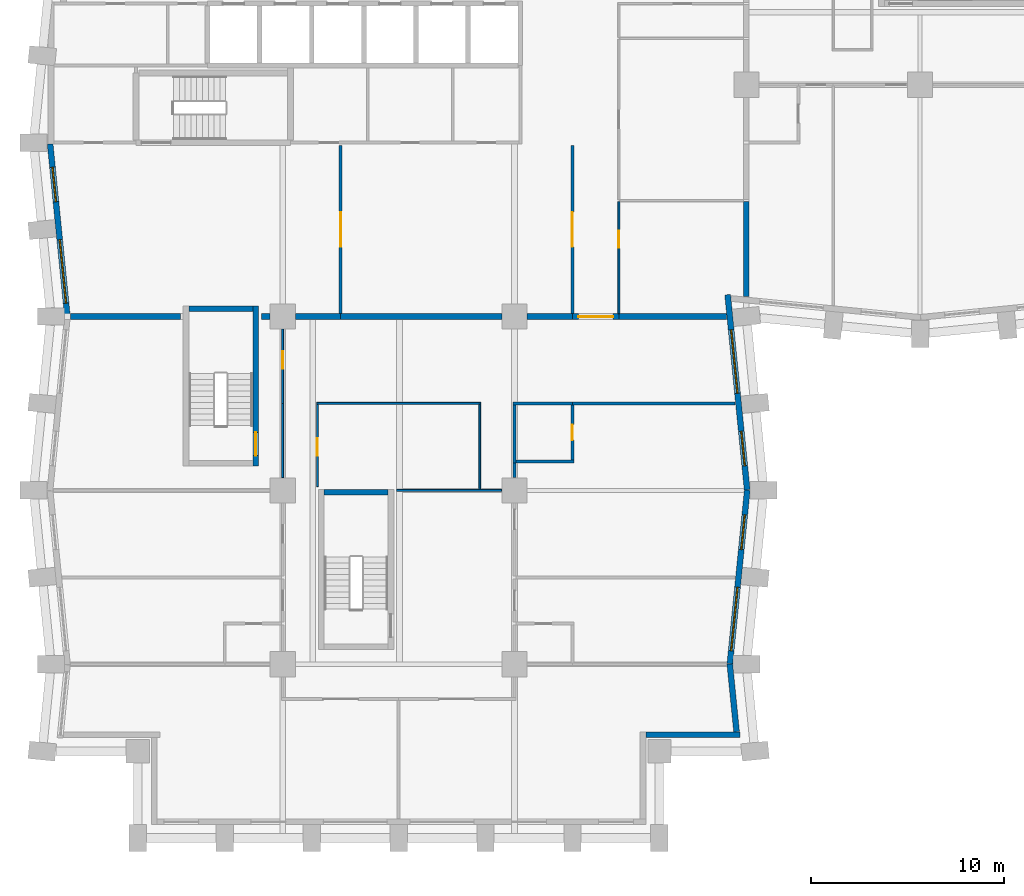
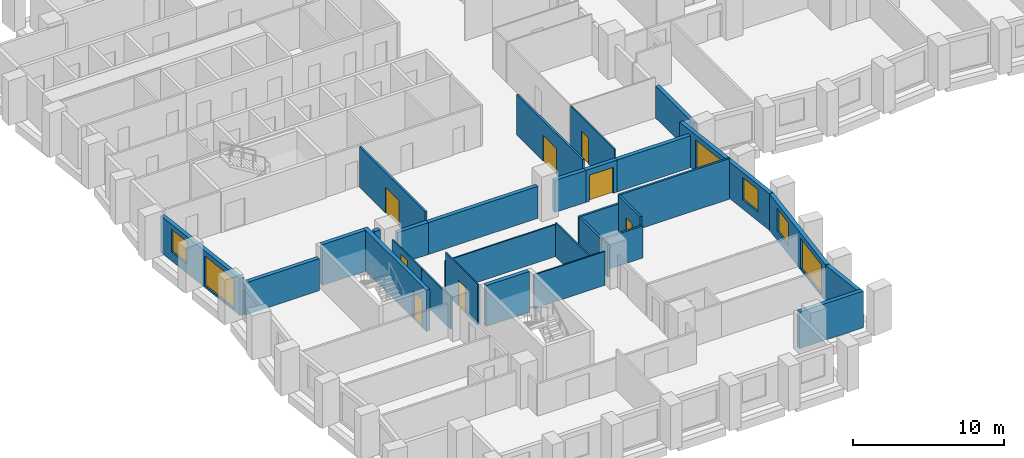
# One storey, part 4 of 12: 31 walls, 8 doors, 6 windows, 14 openings.
"""IFC4 building model written with IfcOpenShell, lengths in metres."""

from ifc_helpers import new_model, si_unit, direction, frame, frame_2d, origin, place, context, subcontext, project, spatial, rectangle, extrude, material, layer, layer_set, type_object, element, fill, save


model = new_model("IFC4")

# Units and contexts
model_context = context("Model", 3, precision=1e-05, world=origin(), true_north=direction((0.0, 1.0)))
body_context = subcontext(model_context, "Body", "Model", "MODEL_VIEW")
ifc_project = project(units=[si_unit("LENGTHUNIT", "METRE"), si_unit("AREAUNIT", "SQUARE_METRE"), si_unit("VOLUMEUNIT", "CUBIC_METRE"), si_unit("PLANEANGLEUNIT", "RADIAN"), si_unit("MASSUNIT", "GRAM", prefix="KILO")], contexts=[model_context])

# Site, building, storey
site_placement = place(None, origin())
site = spatial("IfcSite", under=ifc_project, at=site_placement, CompositionType="ELEMENT")
building_placement = place(site_placement, origin())
building = spatial("IfcBuilding", under=site, at=building_placement, Name="Brondeck Convention Tower", CompositionType="ELEMENT")
storey_placement = place(building_placement, frame((0.0, 0.0, 62.699951171875)))
storey = spatial("IfcBuildingStorey", under=building, at=storey_placement, Name="L13", CompositionType="ELEMENT", Elevation=62.699951171875)

# Walls
ifc_material_1 = material(Name="Concrete compartment wall C30/37", Category="concrete")
ifc_layer_1 = layer(ifc_material_1, 0.300048828125)
ifc_layer_set_1 = layer_set([ifc_layer_1], Name="Compartment wall 300")
wall_type_1 = type_object("IfcWallType", Name="Compartment wall 300", PredefinedType="PARTITIONING", material=ifc_layer_set_1)
wall_1_placement = place(storey_placement, frame((6.699951171875, 27.0, 0.0), z_axis=(0.0, 0.0, 1.0), x_axis=(-1.0, 0.0, 0.0)))
element("IfcWall", 1, at=wall_1_placement, inside=storey, type_object=wall_type_1, Name="FLR-L13-W035", PredefinedType="PARTITIONING", context=body_context, shape_type="SweptSolid", body=[
    extrude(rectangle(XDim=5.675048828125, YDim=0.300048828125, at=frame_2d((2.83740234375, 0.0))), origin(), (0.0, 0.0, 1.0), 2.580078125),
])
wall_2_placement = place(storey_placement, frame((11.344970703125, 27.0, 0.0), z_axis=(0.0, 0.0, 1.0), x_axis=(-1.0, 0.0, 0.0)))
element("IfcWall", 2, at=wall_2_placement, inside=storey, type_object=wall_type_1, Name="FLR-L13-W036", PredefinedType="PARTITIONING", context=body_context, shape_type="SweptSolid", body=[
    extrude(rectangle(XDim=0.445068359375, YDim=0.300048828125, at=frame_2d((0.22265625, 0.0))), origin(), (0.0, 0.0, 1.0), 3.280029296875),
])
wall_3_placement = place(storey_placement, frame((15.0, 27.0, 0.0), z_axis=(0.0, 0.0, 1.0), x_axis=(-1.0, 0.0, 0.0)))
element("IfcWall", 3, at=wall_3_placement, inside=storey, type_object=wall_type_1, Name="FLR-L13-W037", PredefinedType="PARTITIONING", context=body_context, shape_type="SweptSolid", body=[
    extrude(rectangle(XDim=2.344970703125, YDim=0.300048828125, at=frame_2d((1.17236328125, 0.0))), origin(), (0.0, 0.0, 1.0), 2.580078125),
])
wall_4_placement = place(storey_placement, frame((23.344970703125, 27.0, 0.0), z_axis=(0.0, 0.0, 1.0), x_axis=(-1.0, 0.0, 0.0)))
element("IfcWall", 4, at=wall_4_placement, inside=storey, type_object=wall_type_1, Name="FLR-L13-W038", PredefinedType="PARTITIONING", context=body_context, shape_type="SweptSolid", body=[
    extrude(rectangle(XDim=8.344970703125, YDim=0.300048828125, at=frame_2d((4.17236328125, 0.0))), origin(), (0.0, 0.0, 1.0), 2.580078125),
])
wall_5_placement = place(storey_placement, frame((27.0, 27.0, 0.0), z_axis=(0.0, 0.0, 1.0), x_axis=(-1.0, 0.0, 0.0)))
element("IfcWall", 5, at=wall_5_placement, inside=storey, type_object=wall_type_1, Name="FLR-L13-W039", PredefinedType="PARTITIONING", context=body_context, shape_type="SweptSolid", body=[
    extrude(rectangle(XDim=2.344970703125, YDim=0.300048828125, at=frame_2d((1.17236328125, 0.0))), origin(), (0.0, 0.0, 1.0), 2.580078125),
])

# Wall, opening, door
wall_6_placement = place(storey_placement, frame((29.39990234375, 27.0, 0.0), z_axis=(0.0, 0.0, 1.0), x_axis=(-1.0, 0.0, 0.0)))
wall_6 = element("IfcWall", 6, at=wall_6_placement, inside=storey, type_object=wall_type_1, Name="FLR-L13-W040", PredefinedType="PARTITIONING", context=body_context, shape_type="SweptSolid", body=[
    extrude(rectangle(XDim=2.39990234375, YDim=0.300048828125, at=frame_2d((1.199951171875, 0.0))), origin(), (0.0, 0.0, 1.0), 2.580078125),
])
opening_1_placement = place(wall_6_placement, frame((0.300048828125, 0.0, 0.0)))
opening_1 = element("IfcOpeningElement", 7, at=opening_1_placement, cuts=wall_6, Name="Opening H3-042", PredefinedType="OPENING", context=body_context, shape_type="SweptSolid", body=[
    extrude(rectangle(XDim=1.800048828125, YDim=2.10009765625, at=frame_2d((0.89990234375, 1.050048828125))), frame((0.0, 0.159912109375, 0.0), z_axis=(0.0, -1.0, 0.0), x_axis=(1.0, 0.0, 0.0)), (0.0, 0.0, 1.0), 0.320068359375),
])
ifc_material_2 = material(Name="Steel fire door pair", Category="steel")
door_type_1 = type_object("IfcDoorType", Name="Fire door pair 1800", OperationType="DOUBLE_DOOR_SINGLE_SWING", PredefinedType="DOOR", material=ifc_material_2)
door_1_placement = place(opening_1_placement, origin())
door_1 = element("IfcDoor", 8, at=door_1_placement, inside=storey, type_object=door_type_1, Name="Door H3-042", OperationType="DOUBLE_DOOR_SINGLE_SWING", OverallHeight=2.10009765625, OverallWidth=1.800048828125, PredefinedType="DOOR", context=body_context, shape_type="SweptSolid", body=[
    extrude(rectangle(XDim=1.800048828125, YDim=2.10009765625, at=frame_2d((0.89990234375, 1.050048828125))), frame((0.0, 0.02490234375, 0.0), z_axis=(0.0, -1.0, 0.0), x_axis=(1.0, 0.0, 0.0)), (0.0, 0.0, 1.0), 0.050048828125),
])
fill(opening_1, door_1)

# Walls
wall_7_placement = place(storey_placement, frame((34.97509765625, 27.0, 0.0), z_axis=(0.0, 0.0, 1.0), x_axis=(-1.0, 0.0, 0.0)))
element("IfcWall", 9, at=wall_7_placement, inside=storey, type_object=wall_type_1, Name="FLR-L13-W041", PredefinedType="PARTITIONING", context=body_context, shape_type="SweptSolid", body=[
    extrude(rectangle(XDim=5.5751953125, YDim=0.300048828125, at=frame_2d((2.78759765625, 0.0))), origin(), (0.0, 0.0, 1.0), 2.580078125),
])
wall_8_placement = place(storey_placement, frame((36.0, 32.949951171875, 0.0), z_axis=(0.0, 0.0, 1.0), x_axis=(0.0, -1.0, 0.0)))
element("IfcWall", 10, at=wall_8_placement, inside=storey, type_object=wall_type_1, Name="FLR-L13-W044", PredefinedType="PARTITIONING", context=body_context, shape_type="SweptSolid", body=[
    extrude(rectangle(XDim=4.925048828125, YDim=0.300048828125, at=frame_2d((2.46240234375, 0.0))), origin(), (0.0, 0.0, 1.0), 2.580078125),
])
ifc_material_3 = material(Name="Precast concrete C50/60 bronze finish", Category="concrete")
ifc_layer_2 = layer(ifc_material_3, 0.070068359375, Name="Bronze precast facing")
ifc_material_4 = material(Name="Mineral wool")
ifc_layer_3 = layer(ifc_material_4, 0.159912109375, Name="Insulation")
ifc_material_5 = material(Name="Concrete C35/45", Category="concrete")
ifc_layer_4 = layer(ifc_material_5, 0.070068359375, Name="Backing")
ifc_layer_set_2 = layer_set([ifc_layer_2, ifc_layer_3, ifc_layer_4], Name="External infill wall, precast concrete C50/60 bronze facing")
wall_type_2 = type_object("IfcWallType", Name="External infill wall, precast concrete C50/60 bronze facing", PredefinedType="SOLIDWALL", material=ifc_layer_set_2)
wall_9_placement = place(storey_placement, frame((35.676513671875, 5.35009765625, 0.0), z_axis=(0.0, 0.0, 1.0), x_axis=(-1.0, 0.0, 0.0)))
element("IfcWall", 11, at=wall_9_placement, inside=storey, type_object=wall_type_2, Name="ENV-EW-L13-P0-NC-SEB0-02", PredefinedType="SOLIDWALL", context=body_context, shape_type="SweptSolid", body=[
    extrude(rectangle(XDim=4.87646484375, YDim=0.300048828125, at=frame_2d((2.438232421875, 0.0))), origin(), (0.0, 0.0, 1.0), 2.949951171875),
])
wall_10_placement = place(storey_placement, frame((35.144287109375, 9.014892578125, 0.0), z_axis=(0.0, 0.0, 1.0), x_axis=(0.099462600847, -0.995041301169, 0.0)))
element("IfcWall", 12, at=wall_10_placement, inside=storey, type_object=wall_type_2, Name="ENV-EW-L13-P0-B-E-04", PredefinedType="SOLIDWALL", context=body_context, shape_type="SweptSolid", body=[
    extrude(rectangle(XDim=3.52734375, YDim=0.300048828125, at=frame_2d((1.763671875, 0.0))), origin(), (0.0, 0.0, 1.0), 2.949951171875),
])

# Wall, openings, windows
wall_11_placement = place(storey_placement, frame((36.04736328125, 18.014892578125, 0.0), z_axis=(0.0, 0.0, 1.0), x_axis=(-0.099522457379, -0.995035316196, 0.0)))
wall_11 = element("IfcWall", 13, at=wall_11_placement, inside=storey, type_object=wall_type_2, Name="ENV-EW-L13-P0-B-E-03", PredefinedType="SOLIDWALL", context=body_context, shape_type="SweptSolid", body=[
    extrude(rectangle(XDim=9.030029296875, YDim=0.300048828125, at=frame_2d((4.51513671875, 0.0))), origin(), (0.0, 0.0, 1.0), 2.949951171875),
])
opening_2_placement = place(wall_11_placement, frame((1.291259765625, 0.0, 0.75)))
opening_2 = element("IfcOpeningElement", 14, at=opening_2_placement, cuts=wall_11, Name="Opening W10", PredefinedType="OPENING", context=body_context, shape_type="SweptSolid", body=[
    extrude(rectangle(XDim=1.800048828125, YDim=1.800048828125, at=frame_2d((0.89990234375, 0.89990234375))), frame((0.0, 0.159912109375, 0.0), z_axis=(0.0, -1.0, 0.0), x_axis=(1.0, 0.0, 0.0)), (0.0, 0.0, 1.0), 0.320068359375),
])
opening_3_placement = place(wall_11_placement, frame((5.063720703125, 0.0, 0.14990234375)))
opening_3 = element("IfcOpeningElement", 15, at=opening_3_placement, cuts=wall_11, Name="Opening W9", PredefinedType="OPENING", context=body_context, shape_type="SweptSolid", body=[
    extrude(rectangle(XDim=3.300048828125, YDim=2.39990234375, at=frame_2d((1.64990234375, 1.199951171875))), frame((0.0, 0.159912109375, 0.0), z_axis=(0.0, -1.0, 0.0), x_axis=(1.0, 0.0, 0.0)), (0.0, 0.0, 1.0), 0.320068359375),
])
ifc_material_6 = material(Name="Bronze tinted double glazing", Category="glass")
window_type_1 = type_object("IfcWindowType", Name="Glazed flute window, bronze tinted", PartitioningType="SINGLE_PANEL", PredefinedType="WINDOW", material=ifc_material_6)
window_1_placement = place(opening_3_placement, origin())
window_1 = element("IfcWindow", 16, at=window_1_placement, inside=storey, type_object=window_type_1, Name="ENV-WN-L13-P0-B-E-03", OverallHeight=2.39990234375, OverallWidth=3.300048828125, PartitioningType="SINGLE_PANEL", PredefinedType="WINDOW", context=body_context, shape_type="SweptSolid", body=[
    extrude(rectangle(XDim=3.300048828125, YDim=2.39990234375, at=frame_2d((1.64990234375, 1.199951171875))), frame((0.0, 0.030029296875, 0.0), z_axis=(0.0, -1.0, 0.0), x_axis=(1.0, 0.0, 0.0)), (0.0, 0.0, 1.0), 0.06005859375),
])
fill(opening_3, window_1)
window_type_2 = type_object("IfcWindowType", Name="Punched window, bronze tinted", PartitioningType="SINGLE_PANEL", PredefinedType="WINDOW", material=ifc_material_6)
window_2_placement = place(opening_2_placement, origin())
window_2 = element("IfcWindow", 17, at=window_2_placement, inside=storey, type_object=window_type_2, Name="ENV-WN-L13-P0-B-E-02", OverallHeight=1.800048828125, OverallWidth=1.800048828125, PartitioningType="SINGLE_PANEL", PredefinedType="WINDOW", context=body_context, shape_type="SweptSolid", body=[
    extrude(rectangle(XDim=1.800048828125, YDim=1.800048828125, at=frame_2d((0.89990234375, 0.89990234375))), frame((0.0, 0.030029296875, 0.0), z_axis=(0.0, -1.0, 0.0), x_axis=(1.0, 0.0, 0.0)), (0.0, 0.0, 1.0), 0.06005859375),
])
fill(opening_2, window_2)

wall_12_placement = place(storey_placement, frame((35.03271484375, 28.131591796875, 0.0), z_axis=(0.0, 0.0, 1.0), x_axis=(0.099487051997, -0.995038856771, 0.0)))
wall_12 = element("IfcWall", 18, at=wall_12_placement, inside=storey, type_object=wall_type_2, Name="ENV-EW-L13-P0-B-E-01", PredefinedType="SOLIDWALL", context=body_context, shape_type="SweptSolid", body=[
    extrude(rectangle(XDim=10.152099609375, YDim=0.300048828125, at=frame_2d((5.076171875, 0.0))), origin(), (0.0, 0.0, 1.0), 2.949951171875),
])
opening_4_placement = place(wall_12_placement, frame((1.83349609375, 0.0, 0.14990234375)))
opening_4 = element("IfcOpeningElement", 19, at=opening_4_placement, cuts=wall_12, Name="Opening W9", PredefinedType="OPENING", context=body_context, shape_type="SweptSolid", body=[
    extrude(rectangle(XDim=3.300048828125, YDim=2.39990234375, at=frame_2d((1.64990234375, 1.199951171875))), frame((0.0, 0.159912109375, 0.0), z_axis=(0.0, -1.0, 0.0), x_axis=(1.0, 0.0, 0.0)), (0.0, 0.0, 1.0), 0.320068359375),
])
opening_5_placement = place(wall_12_placement, frame((7.10595703125, 0.0, 0.75)))
opening_5 = element("IfcOpeningElement", 20, at=opening_5_placement, cuts=wall_12, Name="Opening W10", PredefinedType="OPENING", context=body_context, shape_type="SweptSolid", body=[
    extrude(rectangle(XDim=1.800048828125, YDim=1.800048828125, at=frame_2d((0.89990234375, 0.89990234375))), frame((0.0, 0.159912109375, 0.0), z_axis=(0.0, -1.0, 0.0), x_axis=(1.0, 0.0, 0.0)), (0.0, 0.0, 1.0), 0.320068359375),
])
window_3_placement = place(opening_4_placement, origin())
window_3 = element("IfcWindow", 21, at=window_3_placement, inside=storey, type_object=window_type_1, Name="ENV-WN-L13-P0-B-E-00", OverallHeight=2.39990234375, OverallWidth=3.300048828125, PartitioningType="SINGLE_PANEL", PredefinedType="WINDOW", context=body_context, shape_type="SweptSolid", body=[
    extrude(rectangle(XDim=3.300048828125, YDim=2.39990234375, at=frame_2d((1.64990234375, 1.199951171875))), frame((0.0, 0.030029296875, 0.0), z_axis=(0.0, -1.0, 0.0), x_axis=(1.0, 0.0, 0.0)), (0.0, 0.0, 1.0), 0.06005859375),
])
fill(opening_4, window_3)
window_4_placement = place(opening_5_placement, origin())
window_4 = element("IfcWindow", 22, at=window_4_placement, inside=storey, type_object=window_type_2, Name="ENV-WN-L13-P0-B-E-01", OverallHeight=1.800048828125, OverallWidth=1.800048828125, PartitioningType="SINGLE_PANEL", PredefinedType="WINDOW", context=body_context, shape_type="SweptSolid", body=[
    extrude(rectangle(XDim=1.800048828125, YDim=1.800048828125, at=frame_2d((0.89990234375, 0.89990234375))), frame((0.0, 0.030029296875, 0.0), z_axis=(0.0, -1.0, 0.0), x_axis=(1.0, 0.0, 0.0)), (0.0, 0.0, 1.0), 0.06005859375),
])
fill(opening_5, window_4)

wall_13_placement = place(storey_placement, frame((0.855712890625, 26.985107421875, 0.0), z_axis=(0.0, 0.0, 1.0), x_axis=(-0.099503719021, 0.99503719021, 0.0)))
wall_13 = element("IfcWall", 23, at=wall_13_placement, inside=storey, type_object=wall_type_2, Name="ENV-EW-L13-P0-B-W-06", PredefinedType="SOLIDWALL", context=body_context, shape_type="SweptSolid", body=[
    extrude(rectangle(XDim=8.994873046875, YDim=0.300048828125, at=frame_2d((4.49755859375, 0.0))), origin(), (0.0, 0.0, 1.0), 2.949951171875),
])
opening_6_placement = place(wall_13_placement, frame((0.711181640625, 0.0, 0.14990234375)))
opening_6 = element("IfcOpeningElement", 24, at=opening_6_placement, cuts=wall_13, Name="Opening W9", PredefinedType="OPENING", context=body_context, shape_type="SweptSolid", body=[
    extrude(rectangle(XDim=3.300048828125, YDim=2.39990234375, at=frame_2d((1.64990234375, 1.199951171875))), frame((0.0, 0.159912109375, 0.0), z_axis=(0.0, -1.0, 0.0), x_axis=(1.0, 0.0, 0.0)), (0.0, 0.0, 1.0), 0.320068359375),
])
opening_7_placement = place(wall_13_placement, frame((5.983642578125, 0.0, 0.75)))
opening_7 = element("IfcOpeningElement", 25, at=opening_7_placement, cuts=wall_13, Name="Opening W10", PredefinedType="OPENING", context=body_context, shape_type="SweptSolid", body=[
    extrude(rectangle(XDim=1.800048828125, YDim=1.800048828125, at=frame_2d((0.89990234375, 0.89990234375))), frame((0.0, 0.159912109375, 0.0), z_axis=(0.0, -1.0, 0.0), x_axis=(1.0, 0.0, 0.0)), (0.0, 0.0, 1.0), 0.320068359375),
])
window_5_placement = place(opening_6_placement, origin())
window_5 = element("IfcWindow", 26, at=window_5_placement, inside=storey, type_object=window_type_1, Name="ENV-WN-L13-P0-B-W-07", OverallHeight=2.39990234375, OverallWidth=3.300048828125, PartitioningType="SINGLE_PANEL", PredefinedType="WINDOW", context=body_context, shape_type="SweptSolid", body=[
    extrude(rectangle(XDim=3.300048828125, YDim=2.39990234375, at=frame_2d((1.64990234375, 1.199951171875))), frame((0.0, 0.030029296875, 0.0), z_axis=(0.0, -1.0, 0.0), x_axis=(1.0, 0.0, 0.0)), (0.0, 0.0, 1.0), 0.06005859375),
])
fill(opening_6, window_5)
window_6_placement = place(opening_7_placement, origin())
window_6 = element("IfcWindow", 27, at=window_6_placement, inside=storey, type_object=window_type_2, Name="ENV-WN-L13-P0-B-W-06", OverallHeight=1.800048828125, OverallWidth=1.800048828125, PartitioningType="SINGLE_PANEL", PredefinedType="WINDOW", context=body_context, shape_type="SweptSolid", body=[
    extrude(rectangle(XDim=1.800048828125, YDim=1.800048828125, at=frame_2d((0.89990234375, 0.89990234375))), frame((0.0, 0.030029296875, 0.0), z_axis=(0.0, -1.0, 0.0), x_axis=(1.0, 0.0, 0.0)), (0.0, 0.0, 1.0), 0.06005859375),
])
fill(opening_7, window_6)

# Walls
ifc_material_7 = material(Name="Double gypsum board acoustic wall")
ifc_layer_5 = layer(ifc_material_7, 0.14990234375)
ifc_layer_set_3 = layer_set([ifc_layer_5], Name="Guest room party wall 150")
wall_type_3 = type_object("IfcWallType", Name="Guest room party wall 150", PredefinedType="PARTITIONING", material=ifc_layer_set_3)
wall_14_placement = place(storey_placement, frame((24.0, 19.425048828125, 0.0), z_axis=(0.0, 0.0, 1.0), x_axis=(0.0, -1.0, 0.0)))
element("IfcWall", 28, at=wall_14_placement, inside=storey, type_object=wall_type_3, Name="FLR-L13-W025", PredefinedType="PARTITIONING", context=body_context, shape_type="SweptSolid", body=[
    extrude(rectangle(XDim=0.77001953125, YDim=0.14990234375, at=frame_2d((0.385009765625, 0.0))), origin(), (0.0, 0.0, 1.0), 2.580078125),
])
wall_15_placement = place(storey_placement, frame((24.074951171875, 19.5, 0.0), z_axis=(0.0, 0.0, 1.0), x_axis=(1.0, 0.0, 0.0)))
element("IfcWall", 29, at=wall_15_placement, inside=storey, type_object=wall_type_3, Name="FLR-L13-W026", PredefinedType="PARTITIONING", context=body_context, shape_type="SweptSolid", body=[
    extrude(rectangle(XDim=3.0, YDim=0.14990234375, at=frame_2d((1.5, 0.0))), origin(), (0.0, 0.0, 1.0), 2.580078125),
])

# Wall, opening, door
wall_16_placement = place(storey_placement, frame((27.0, 19.574951171875, 0.0), z_axis=(0.0, 0.0, 1.0), x_axis=(0.0, 1.0, 0.0)))
wall_16 = element("IfcWall", 30, at=wall_16_placement, inside=storey, type_object=wall_type_3, Name="FLR-L13-W027", PredefinedType="PARTITIONING", context=body_context, shape_type="SweptSolid", body=[
    extrude(rectangle(XDim=2.85009765625, YDim=0.14990234375, at=frame_2d((1.425048828125, 0.0))), origin(), (0.0, 0.0, 1.0), 3.280029296875),
])
opening_8_placement = place(wall_16_placement, frame((1.02490234375, 0.0, 0.0)))
opening_8 = element("IfcOpeningElement", 31, at=opening_8_placement, cuts=wall_16, Name="Opening H3-027", PredefinedType="OPENING", context=body_context, shape_type="SweptSolid", body=[
    extrude(rectangle(XDim=0.800048828125, YDim=2.10009765625, at=frame_2d((0.39990234375, 1.050048828125))), frame((0.0, 0.0849609375, 0.0), z_axis=(0.0, -1.0, 0.0), x_axis=(1.0, 0.0, 0.0)), (0.0, 0.0, 1.0), 0.169921875),
])
ifc_material_8 = material(Name="Solid timber door leaf", Category="wood")
door_type_2 = type_object("IfcDoorType", Name="En-suite door 800", OperationType="NOTDEFINED", PredefinedType="DOOR", material=ifc_material_8)
door_2_placement = place(opening_8_placement, origin())
door_2 = element("IfcDoor", 32, at=door_2_placement, inside=storey, type_object=door_type_2, Name="Door H3-027", OperationType="SINGLE_SWING_RIGHT", OverallHeight=2.10009765625, OverallWidth=0.800048828125, PredefinedType="DOOR", context=body_context, shape_type="SweptSolid", body=[
    extrude(rectangle(XDim=0.800048828125, YDim=2.10009765625, at=frame_2d((0.39990234375, 1.050048828125))), frame((0.0, 0.02490234375, 0.0), z_axis=(0.0, -1.0, 0.0), x_axis=(1.0, 0.0, 0.0)), (0.0, 0.0, 1.0), 0.050048828125),
])
fill(opening_8, door_2)

# Walls
wall_17_placement = place(storey_placement, frame((24.0, 22.425048828125, 0.0), z_axis=(0.0, 0.0, 1.0), x_axis=(0.0, -1.0, 0.0)))
element("IfcWall", 33, at=wall_17_placement, inside=storey, type_object=wall_type_3, Name="FLR-L13-W028", PredefinedType="PARTITIONING", context=body_context, shape_type="SweptSolid", body=[
    extrude(rectangle(XDim=2.9951171875, YDim=0.14990234375, at=frame_2d((1.49755859375, 0.0))), origin(), (0.0, 0.0, 1.0), 2.580078125),
])
wall_18_placement = place(storey_placement, frame((27.0, 22.5, 0.0), z_axis=(0.0, 0.0, 1.0), x_axis=(-1.0, 0.0, 0.0)))
element("IfcWall", 34, at=wall_18_placement, inside=storey, type_object=wall_type_3, Name="FLR-L13-W033", PredefinedType="PARTITIONING", context=body_context, shape_type="SweptSolid", body=[
    extrude(rectangle(XDim=3.074951171875, YDim=0.14990234375, at=frame_2d((1.53759765625, 0.0))), origin(), (0.0, 0.0, 1.0), 2.580078125),
])
wall_19_placement = place(storey_placement, frame((35.425048828125, 22.5, 0.0), z_axis=(0.0, 0.0, 1.0), x_axis=(-1.0, 0.0, 0.0)))
element("IfcWall", 35, at=wall_19_placement, inside=storey, type_object=wall_type_3, Name="FLR-L13-W034", PredefinedType="PARTITIONING", context=body_context, shape_type="SweptSolid", body=[
    extrude(rectangle(XDim=8.425048828125, YDim=0.14990234375, at=frame_2d((4.21240234375, 0.0))), origin(), (0.0, 0.0, 1.0), 3.280029296875),
])

# Wall, opening, door
wall_20_placement = place(storey_placement, frame((27.0, 27.14990234375, 0.0), z_axis=(0.0, 0.0, 1.0), x_axis=(0.0, 1.0, 0.0)))
wall_20 = element("IfcWall", 36, at=wall_20_placement, inside=storey, type_object=wall_type_3, Name="FLR-L13-W042", PredefinedType="PARTITIONING", context=body_context, shape_type="SweptSolid", body=[
    extrude(rectangle(XDim=8.7001953125, YDim=0.14990234375, at=frame_2d((4.35009765625, 0.0))), origin(), (0.0, 0.0, 1.0), 3.280029296875),
])
opening_9_placement = place(wall_20_placement, frame((3.449951171875, 0.0, 0.0)))
opening_9 = element("IfcOpeningElement", 37, at=opening_9_placement, cuts=wall_20, Name="Opening H3-039", PredefinedType="OPENING", context=body_context, shape_type="SweptSolid", body=[
    extrude(rectangle(XDim=1.800048828125, YDim=2.10009765625, at=frame_2d((0.89990234375, 1.050048828125))), frame((0.0, 0.0849609375, 0.0), z_axis=(0.0, -1.0, 0.0), x_axis=(1.0, 0.0, 0.0)), (0.0, 0.0, 1.0), 0.169921875),
])
ifc_material_9 = material(Name="Glazed timber double door", Category="wood")
door_type_3 = type_object("IfcDoorType", Name="Double door 1800", OperationType="DOUBLE_DOOR_SINGLE_SWING", PredefinedType="DOOR", material=ifc_material_9)
door_3_placement = place(opening_9_placement, origin())
door_3 = element("IfcDoor", 38, at=door_3_placement, inside=storey, type_object=door_type_3, Name="Door H3-039", OperationType="DOUBLE_DOOR_SINGLE_SWING", OverallHeight=2.10009765625, OverallWidth=1.800048828125, PredefinedType="DOOR", context=body_context, shape_type="SweptSolid", body=[
    extrude(rectangle(XDim=1.800048828125, YDim=2.10009765625, at=frame_2d((0.89990234375, 1.050048828125))), frame((0.0, 0.02490234375, 0.0), z_axis=(0.0, -1.0, 0.0), x_axis=(1.0, 0.0, 0.0)), (0.0, 0.0, 1.0), 0.050048828125),
])
fill(opening_9, door_3)

wall_21_placement = place(storey_placement, frame((15.0, 27.14990234375, 0.0), z_axis=(0.0, 0.0, 1.0), x_axis=(0.0, 1.0, 0.0)))
wall_21 = element("IfcWall", 39, at=wall_21_placement, inside=storey, type_object=wall_type_3, Name="FLR-L13-W046", PredefinedType="PARTITIONING", context=body_context, shape_type="SweptSolid", body=[
    extrude(rectangle(XDim=8.7001953125, YDim=0.14990234375, at=frame_2d((4.35009765625, 0.0))), origin(), (0.0, 0.0, 1.0), 3.280029296875),
])
opening_10_placement = place(wall_21_placement, frame((3.449951171875, 0.0, 0.0)))
opening_10 = element("IfcOpeningElement", 40, at=opening_10_placement, cuts=wall_21, Name="Opening H3-040", PredefinedType="OPENING", context=body_context, shape_type="SweptSolid", body=[
    extrude(rectangle(XDim=1.800048828125, YDim=2.10009765625, at=frame_2d((0.89990234375, 1.050048828125))), frame((0.0, 0.0849609375, 0.0), z_axis=(0.0, -1.0, 0.0), x_axis=(1.0, 0.0, 0.0)), (0.0, 0.0, 1.0), 0.169921875),
])
door_4_placement = place(opening_10_placement, origin())
door_4 = element("IfcDoor", 41, at=door_4_placement, inside=storey, type_object=door_type_3, Name="Door H3-040", OperationType="DOUBLE_DOOR_SINGLE_SWING", OverallHeight=2.10009765625, OverallWidth=1.800048828125, PredefinedType="DOOR", context=body_context, shape_type="SweptSolid", body=[
    extrude(rectangle(XDim=1.800048828125, YDim=2.10009765625, at=frame_2d((0.89990234375, 1.050048828125))), frame((0.0, 0.02490234375, 0.0), z_axis=(0.0, -1.0, 0.0), x_axis=(1.0, 0.0, 0.0)), (0.0, 0.0, 1.0), 0.050048828125),
])
fill(opening_10, door_4)

# Walls
ifc_material_10 = material(Name="Gypsum board partition on steel studs", Category="steel")
ifc_layer_6 = layer(ifc_material_10, 0.10009765625)
ifc_layer_set_4 = layer_set([ifc_layer_6], Name="Room partition 100")
wall_type_4 = type_object("IfcWallType", Name="Room partition 100", PredefinedType="PARTITIONING", material=ifc_layer_set_4)
wall_22_placement = place(storey_placement, frame((23.330078125, 18.0, 0.0), z_axis=(0.0, 0.0, 1.0), x_axis=(-1.0, 0.0, 0.0)))
element("IfcWall", 42, at=wall_22_placement, inside=storey, type_object=wall_type_4, Name="FLR-L13-W023", PredefinedType="PARTITIONING", context=body_context, shape_type="SweptSolid", body=[
    extrude(rectangle(XDim=5.43017578125, YDim=0.10009765625, at=frame_2d((2.715087890625, 0.0))), origin(), (0.0, 0.0, 1.0), 2.72998046875),
])
wall_23_placement = place(storey_placement, frame((22.199951171875, 18.050048828125, 0.0), z_axis=(0.0, 0.0, 1.0), x_axis=(0.0, 1.0, 0.0)))
element("IfcWall", 43, at=wall_23_placement, inside=storey, type_object=wall_type_4, Name="FLR-L13-W024", PredefinedType="PARTITIONING", context=body_context, shape_type="SweptSolid", body=[
    extrude(rectangle(XDim=4.39990234375, YDim=0.10009765625, at=frame_2d((2.199951171875, 0.0))), origin(), (0.0, 0.0, 1.0), 2.72998046875),
])

# Wall, opening, door
wall_24_placement = place(storey_placement, frame((13.800048828125, 22.449951171875, 0.0), z_axis=(0.0, 0.0, 1.0), x_axis=(0.0, -1.0, 0.0)))
wall_24 = element("IfcWall", 44, at=wall_24_placement, inside=storey, type_object=wall_type_4, Name="FLR-L13-W029", PredefinedType="PARTITIONING", context=body_context, shape_type="SweptSolid", body=[
    extrude(rectangle(XDim=4.25, YDim=0.10009765625, at=frame_2d((2.125, 0.0))), origin(), (0.0, 0.0, 1.0), 3.280029296875),
])
opening_11_placement = place(wall_24_placement, frame((1.75, 0.0, 0.0)))
opening_11 = element("IfcOpeningElement", 45, at=opening_11_placement, cuts=wall_24, Name="Opening H3-030", PredefinedType="OPENING", context=body_context, shape_type="SweptSolid", body=[
    extrude(rectangle(XDim=0.89990234375, YDim=2.10009765625, at=frame_2d((0.449951171875, 1.050048828125))), frame((0.0, 0.06005859375, 0.0), z_axis=(0.0, -1.0, 0.0), x_axis=(1.0, 0.0, 0.0)), (0.0, 0.0, 1.0), 0.1201171875),
])
door_type_4 = type_object("IfcDoorType", Name="Single door 900", OperationType="NOTDEFINED", PredefinedType="DOOR", material=ifc_material_8)
door_5_placement = place(opening_11_placement, origin())
door_5 = element("IfcDoor", 46, at=door_5_placement, inside=storey, type_object=door_type_4, Name="Door H3-030", OperationType="SINGLE_SWING_LEFT", OverallHeight=2.10009765625, OverallWidth=0.89990234375, PredefinedType="DOOR", context=body_context, shape_type="SweptSolid", body=[
    extrude(rectangle(XDim=0.89990234375, YDim=2.10009765625, at=frame_2d((0.449951171875, 1.050048828125))), frame((0.0, 0.02490234375, 0.0), z_axis=(0.0, -1.0, 0.0), x_axis=(1.0, 0.0, 0.0)), (0.0, 0.0, 1.0), 0.050048828125),
])
fill(opening_11, door_5)

# Wall
wall_25_placement = place(storey_placement, frame((12.0, 22.5, 0.0), z_axis=(0.0, 0.0, 1.0), x_axis=(0.0, -1.0, 0.0)))
element("IfcWall", 47, at=wall_25_placement, inside=storey, type_object=wall_type_4, Name="FLR-L13-W030", PredefinedType="PARTITIONING", context=body_context, shape_type="SweptSolid", body=[
    extrude(rectangle(XDim=3.844970703125, YDim=0.10009765625, at=frame_2d((1.92236328125, 0.0))), origin(), (0.0, 0.0, 1.0), 2.580078125),
])

# Wall, opening, door
wall_26_placement = place(storey_placement, frame((12.0, 26.344970703125, 0.0), z_axis=(0.0, 0.0, 1.0), x_axis=(0.0, -1.0, 0.0)))
wall_26 = element("IfcWall", 48, at=wall_26_placement, inside=storey, type_object=wall_type_4, Name="FLR-L13-W031", PredefinedType="PARTITIONING", context=body_context, shape_type="SweptSolid", body=[
    extrude(rectangle(XDim=3.844970703125, YDim=0.10009765625, at=frame_2d((1.92236328125, 0.0))), origin(), (0.0, 0.0, 1.0), 2.580078125),
])
opening_12_placement = place(wall_26_placement, frame((1.14501953125, 0.0, 0.0)))
opening_12 = element("IfcOpeningElement", 49, at=opening_12_placement, cuts=wall_26, Name="Opening H3-022", PredefinedType="OPENING", context=body_context, shape_type="SweptSolid", body=[
    extrude(rectangle(XDim=0.89990234375, YDim=2.10009765625, at=frame_2d((0.449951171875, 1.050048828125))), frame((0.0, 0.06005859375, 0.0), z_axis=(0.0, -1.0, 0.0), x_axis=(1.0, 0.0, 0.0)), (0.0, 0.0, 1.0), 0.1201171875),
])
door_6_placement = place(opening_12_placement, origin())
door_6 = element("IfcDoor", 50, at=door_6_placement, inside=storey, type_object=door_type_4, Name="Door H3-022", OperationType="SINGLE_SWING_LEFT", OverallHeight=2.10009765625, OverallWidth=0.89990234375, PredefinedType="DOOR", context=body_context, shape_type="SweptSolid", body=[
    extrude(rectangle(XDim=0.89990234375, YDim=2.10009765625, at=frame_2d((0.449951171875, 1.050048828125))), frame((0.0, 0.02490234375, 0.0), z_axis=(0.0, -1.0, 0.0), x_axis=(1.0, 0.0, 0.0)), (0.0, 0.0, 1.0), 0.050048828125),
])
fill(opening_12, door_6)

# Wall
wall_27_placement = place(storey_placement, frame((22.25, 22.5, 0.0), z_axis=(0.0, 0.0, 1.0), x_axis=(-1.0, 0.0, 0.0)))
element("IfcWall", 51, at=wall_27_placement, inside=storey, type_object=wall_type_4, Name="FLR-L13-W032", PredefinedType="PARTITIONING", context=body_context, shape_type="SweptSolid", body=[
    extrude(rectangle(XDim=8.5, YDim=0.10009765625, at=frame_2d((4.25, 0.0))), origin(), (0.0, 0.0, 1.0), 2.580078125),
])

# Wall, opening, door
wall_28_placement = place(storey_placement, frame((29.39990234375, 32.949951171875, 0.0), z_axis=(0.0, 0.0, 1.0), x_axis=(0.0, -1.0, 0.0)))
wall_28 = element("IfcWall", 52, at=wall_28_placement, inside=storey, type_object=wall_type_4, Name="FLR-L13-W043", PredefinedType="PARTITIONING", context=body_context, shape_type="SweptSolid", body=[
    extrude(rectangle(XDim=5.800048828125, YDim=0.10009765625, at=frame_2d((2.89990234375, 0.0))), origin(), (0.0, 0.0, 1.0), 3.280029296875),
])
opening_13_placement = place(wall_28_placement, frame((1.5, 0.0, 0.0)))
opening_13 = element("IfcOpeningElement", 53, at=opening_13_placement, cuts=wall_28, Name="Opening H3-038", PredefinedType="OPENING", context=body_context, shape_type="SweptSolid", body=[
    extrude(rectangle(XDim=0.89990234375, YDim=2.10009765625, at=frame_2d((0.449951171875, 1.050048828125))), frame((0.0, 0.06005859375, 0.0), z_axis=(0.0, -1.0, 0.0), x_axis=(1.0, 0.0, 0.0)), (0.0, 0.0, 1.0), 0.1201171875),
])
door_7_placement = place(opening_13_placement, origin())
door_7 = element("IfcDoor", 54, at=door_7_placement, inside=storey, type_object=door_type_4, Name="Door H3-038", OperationType="SINGLE_SWING_LEFT", OverallHeight=2.10009765625, OverallWidth=0.89990234375, PredefinedType="DOOR", context=body_context, shape_type="SweptSolid", body=[
    extrude(rectangle(XDim=0.89990234375, YDim=2.10009765625, at=frame_2d((0.449951171875, 1.050048828125))), frame((0.0, 0.02490234375, 0.0), z_axis=(0.0, -1.0, 0.0), x_axis=(1.0, 0.0, 0.0)), (0.0, 0.0, 1.0), 0.050048828125),
])
fill(opening_13, door_7)

# Walls
ifc_material_11 = material(Name="Concrete C80/95", Category="concrete")
ifc_layer_7 = layer(ifc_material_11, 0.300048828125)
ifc_layer_set_5 = layer_set([ifc_layer_7], Name="Stair enclosure wall 300 Concrete C80/95")
wall_type_5 = type_object("IfcWallType", Name="Stair enclosure wall 300 Concrete C80/95", PredefinedType="SHEAR", material=ifc_layer_set_5)
for number, where, z_axis, x_axis, name in (
    (55, (14.14990234375, 17.89990234375, 0.0), (0.0, 0.0, 1.0), (1.0, 0.0, 0.0), "L13 core wall"),
    (56, (7.14990234375, 27.39990234375, 0.0), (0.0, 0.0, 1.0), (1.0, 0.0, 0.0), "L13 core wall"),
):
    element("IfcWall", number, at=place(storey_placement, frame(where, z_axis=z_axis, x_axis=x_axis)), inside=storey, type_object=wall_type_5, Name=name, PredefinedType="SHEAR", context=body_context, shape_type="SweptSolid", body=[
        extrude(rectangle(XDim=3.300048828125, YDim=0.300048828125, at=frame_2d((1.64990234375, 0.0))), origin(), (0.0, 0.0, 1.0), 3.300048828125),
    ])

# Wall, opening, door
wall_29_placement = place(storey_placement, frame((10.60009765625, 19.25, 0.0), z_axis=(0.0, 0.0, 1.0), x_axis=(0.0, 1.0, 0.0)))
wall_29 = element("IfcWall", 57, at=wall_29_placement, inside=storey, type_object=wall_type_5, Name="L13 core wall", PredefinedType="SHEAR", context=body_context, shape_type="SweptSolid", body=[
    extrude(rectangle(XDim=8.300048828125, YDim=0.300048828125, at=frame_2d((4.14990234375, 0.0))), origin(), (0.0, 0.0, 1.0), 3.300048828125),
])
opening_14_placement = place(wall_29_placement, frame((0.550048828125, 0.0, 0.0)))
opening_14 = element("IfcOpeningElement", 58, at=opening_14_placement, cuts=wall_29, Name="Opening C10-20", PredefinedType="OPENING", context=body_context, shape_type="SweptSolid", body=[
    extrude(rectangle(XDim=1.199951171875, YDim=2.199951171875, at=frame_2d((0.60009765625, 1.10009765625))), frame((0.0, 0.159912109375, 0.0), z_axis=(0.0, -1.0, 0.0), x_axis=(1.0, 0.0, 0.0)), (0.0, 0.0, 1.0), 0.320068359375),
])
ifc_material_12 = material(Name="Steel fire door", Category="steel")
door_type_5 = type_object("IfcDoorType", Name="Stair door 1200x2200 EI 90", OperationType="NOTDEFINED", PredefinedType="DOOR", material=ifc_material_12)
door_8_placement = place(opening_14_placement, origin())
door_8 = element("IfcDoor", 59, at=door_8_placement, inside=storey, type_object=door_type_5, Name="L13 Stair door ST-BE", OperationType="SINGLE_SWING_RIGHT", OverallHeight=2.199951171875, OverallWidth=1.199951171875, PredefinedType="DOOR", context=body_context, shape_type="SweptSolid", body=[
    extrude(rectangle(XDim=1.199951171875, YDim=2.199951171875, at=frame_2d((0.60009765625, 1.10009765625))), frame((0.0, 0.02490234375, 0.0), z_axis=(0.0, -1.0, 0.0), x_axis=(1.0, 0.0, 0.0)), (0.0, 0.0, 1.0), 0.050048828125),
])
fill(opening_14, door_8)

save(model, "model.ifc")
